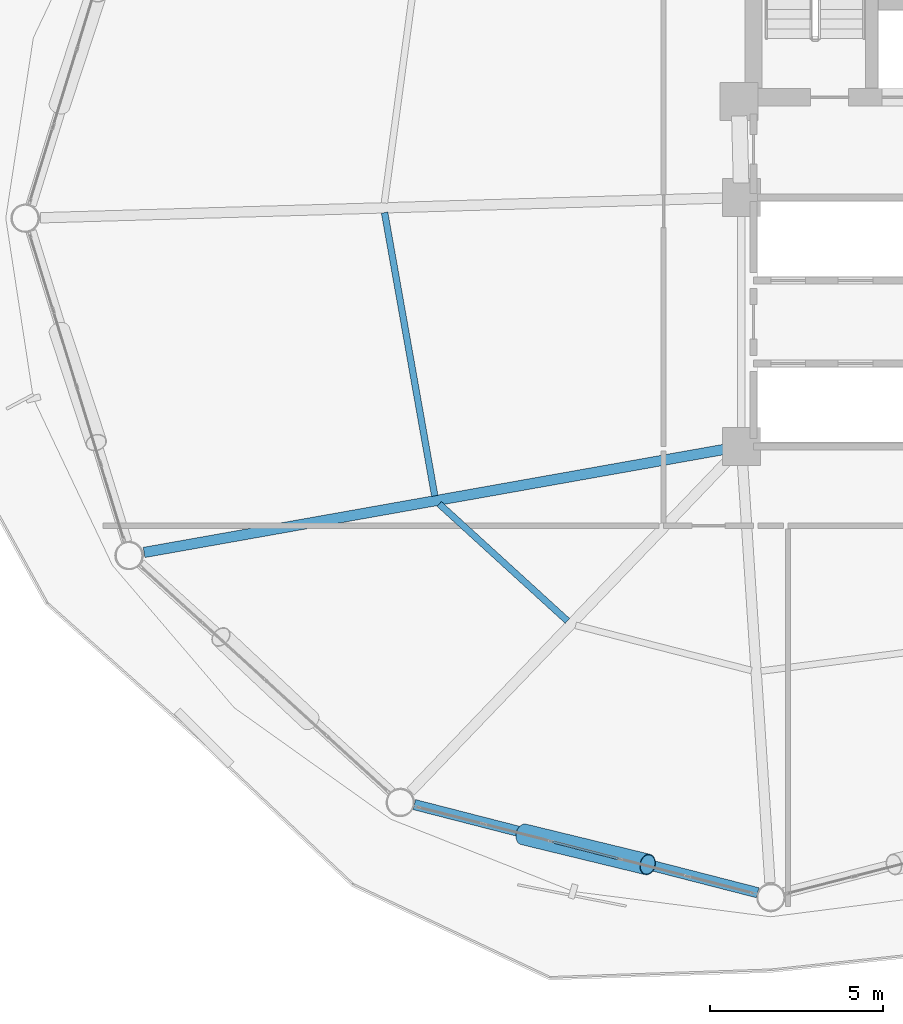
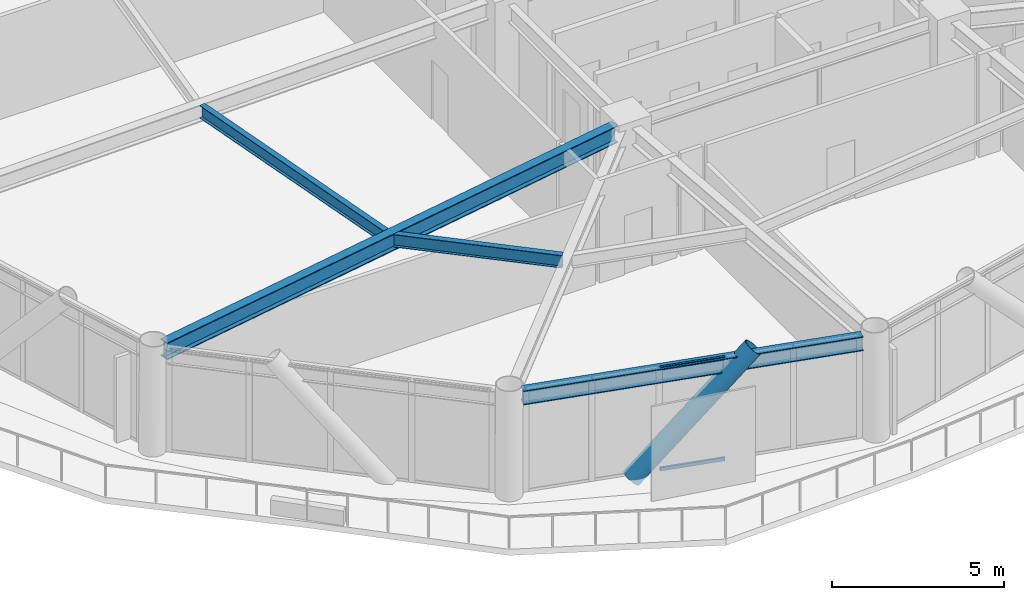
# One storey, part 5 of 24: 4 beams, 3 members, 1 element without a shape of its own.
"""IFC4 building model written with IfcOpenShell, lengths in metres."""

from ifc_helpers import new_model, si_unit, direction, frame, origin, origin_2d, place, context, subcontext, project, spatial, hollow_rectangle, hollow_circle, i_section, extrude, material, layer, layer_set, material_profile, profile_set, type_object, element, aggregate, save


model = new_model("IFC4")

# Units and contexts
model_context = context("Model", 3, precision=1e-05, world=origin(), true_north=direction((0.0, 1.0)))
body_context = subcontext(model_context, "Body", "Model", "MODEL_VIEW")
ifc_project = project(units=[si_unit("LENGTHUNIT", "METRE"), si_unit("AREAUNIT", "SQUARE_METRE"), si_unit("VOLUMEUNIT", "CUBIC_METRE"), si_unit("PLANEANGLEUNIT", "RADIAN"), si_unit("MASSUNIT", "GRAM", prefix="KILO")], contexts=[model_context])

# Site, building, storey
site_placement = place(None, origin())
site = spatial("IfcSite", under=ifc_project, at=site_placement, CompositionType="ELEMENT")
building_placement = place(site_placement, origin())
building = spatial("IfcBuilding", under=site, at=building_placement, Name="Varnakorn Sky Granary", CompositionType="ELEMENT")
storey_placement = place(building_placement, frame((0.0, 0.0, 103.199951171875)))
storey = spatial("IfcBuildingStorey", under=building, at=storey_placement, Name="L25", CompositionType="ELEMENT", Elevation=103.199951171875)

# Beams
ifc_material_1 = material(Name="Steel S355JR", Category="steel")
ifc_material_profile_1 = material_profile(ifc_material_1, i_section(OverallWidth=0.300048828125, OverallDepth=0.60009765625, WebThickness=0.015380859375, FlangeThickness=0.030029296875, at=origin_2d()), Name="HE 600 B")
ifc_profile_set_1 = profile_set([ifc_material_profile_1], Name="Steel S355JR")
beam_type_1 = type_object("IfcBeamType", Name="BM-RAD-Z2", PredefinedType="BEAM", material=ifc_profile_set_1)
beam_1_placement = place(storey_placement, frame((-2.763427734375, -6.673583984375, 3.340087890625), z_axis=(-0.984587546365, -0.174892434205, 0.0), x_axis=(0.174892434205, -0.984587546365, 0.0)))
element("IfcBeam", 1, at=beam_1_placement, inside=storey, type_object=beam_type_1, Name="Radial Floor Girder RG08 L25", PredefinedType="BEAM", context=body_context, shape_type="SweptSolid", body=[
    extrude(i_section(OverallWidth=0.300048828125, OverallDepth=0.60009765625, WebThickness=0.015380859375, FlangeThickness=0.030029296875, at=origin_2d()), origin(), (0.0, 0.0, 1.0), 17.132568359375),
])
ifc_material_profile_2 = material_profile(ifc_material_1, i_section(OverallWidth=0.18994140625, OverallDepth=0.449951171875, WebThickness=0.009521484375, FlangeThickness=0.0146484375, at=origin_2d()), Name="IPE 450")
ifc_profile_set_2 = profile_set([ifc_material_profile_2], Name="Steel S355JR")
beam_type_2 = type_object("IfcBeamType", Name="BM-SEC-Z2", PredefinedType="BEAM", material=ifc_profile_set_2)
beam_2_placement = place(storey_placement, frame((-12.67333984375, 0.16162109375, 3.4150390625), z_axis=(0.174355922041, -0.984682696329, 0.0), x_axis=(0.984682696329, 0.174355922041, 0.0)))
element("IfcBeam", 2, at=beam_2_placement, inside=storey, type_object=beam_type_2, Name="Secondary Floor Chord Beam MSB07 L25", PredefinedType="BEAM", context=body_context, shape_type="SweptSolid", body=[
    extrude(i_section(OverallWidth=0.18994140625, OverallDepth=0.449951171875, WebThickness=0.009521484375, FlangeThickness=0.0146484375, at=origin_2d()), origin(), (0.0, 0.0, 1.0), 8.322998046875),
])
beam_3_placement = place(storey_placement, frame((-11.09423828125, -8.26611328125, 3.4150390625), z_axis=(0.738883223947, -0.67383349677, 0.0), x_axis=(0.67383349677, 0.738883223947, 0.0)))
element("IfcBeam", 3, at=beam_3_placement, inside=storey, type_object=beam_type_2, Name="Secondary Floor Chord Beam MSB08 L25", PredefinedType="BEAM", context=body_context, shape_type="SweptSolid", body=[
    extrude(i_section(OverallWidth=0.18994140625, OverallDepth=0.449951171875, WebThickness=0.009521484375, FlangeThickness=0.0146484375, at=origin_2d()), origin(), (0.0, 0.0, 1.0), 5.021728515625),
])
ifc_material_profile_3 = material_profile(ifc_material_1, i_section(OverallWidth=0.300048828125, OverallDepth=0.5, WebThickness=0.014404296875, FlangeThickness=0.028076171875, at=origin_2d()), Name="HE 500 B")
ifc_profile_set_3 = profile_set([ifc_material_profile_3], Name="Steel S355JR")
beam_type_3 = type_object("IfcBeamType", Name="BM-SPD-Z2", PredefinedType="SPANDREL", material=ifc_profile_set_3)
beam_4_placement = place(storey_placement, frame((-11.811767578125, -16.96484375, 3.39013671875), z_axis=(0.968593917233, -0.248647991141, 0.0), x_axis=(0.248647991141, 0.968593917233, 0.0)))
element("IfcBeam", 4, at=beam_4_placement, inside=storey, type_object=beam_type_3, Name="Perimeter Spandrel Ring Beam RB09 L25", PredefinedType="SPANDREL", context=body_context, shape_type="SweptSolid", body=[
    extrude(i_section(OverallWidth=0.300048828125, OverallDepth=0.5, WebThickness=0.014404296875, FlangeThickness=0.028076171875, at=origin_2d()), origin(), (0.0, 0.0, 1.0), 10.254638671875),
])

# Curtain wall, members
ifc_material_2 = material(Name="Anodised Bronze Aluminium Alloy 6063-T6", Category="aluminium")
ifc_layer = layer(ifc_material_2, 0.179931640625, Name="Anodised Bronze Aluminium Alloy 6063-T6")
ifc_layer_set = layer_set([ifc_layer], Name="Anodised Bronze Aluminium Alloy 6063-T6")
curtain_wall_type = type_object("IfcCurtainWallType", Name="CW-FRM-2", PredefinedType="USERDEFINED", material=ifc_layer_set)
curtain_wall_placement = place(storey_placement, origin())
curtain_wall = element("IfcCurtainWall", 5, at=curtain_wall_placement, inside=storey, type_object=curtain_wall_type, Name="Unitised Curtain Wall CW4 CW-L25-B09", ObjectType="CURTAIN WALL", PredefinedType="USERDEFINED")
ifc_material_profile_4 = material_profile(ifc_material_2, hollow_rectangle(XDim=0.06494140625, YDim=0.1201171875, WallThickness=0.00341796875, at=origin_2d()), Name="ALU TRAN 65x120")
ifc_profile_set_4 = profile_set([ifc_material_profile_4], Name="Anodised Bronze Aluminium Alloy 6063-T6")
member_type_1 = type_object("IfcMemberType", Name="CW-FRM-2-TRAN", PredefinedType="USERDEFINED", material=ifc_profile_set_4)
member_1_placement = place(storey_placement, frame((-5.913818359375, -18.52783203125, 0.032470703125), z_axis=(-0.968619998688, 0.248546370205, 0.0), x_axis=(-0.248546370205, -0.968619998688, 0.0)))
member_1 = element("IfcMember", 6, at=member_1_placement, type_object=member_type_1, Name="CW4 transom 3.1", ObjectType="TRANSOM", PredefinedType="USERDEFINED", context=body_context, shape_type="SweptSolid", body=[
    extrude(hollow_rectangle(XDim=0.06494140625, YDim=0.1201171875, WallThickness=0.00341796875, at=origin_2d()), origin(), (0.0, 0.0, 1.0), 1.957763671875),
])
member_2_placement = place(storey_placement, frame((-5.913818359375, -18.52783203125, 3.607666015625), z_axis=(-0.968619998688, 0.248546370205, 0.0), x_axis=(-0.248546370205, -0.968619998688, 0.0)))
member_2 = element("IfcMember", 7, at=member_2_placement, type_object=member_type_1, Name="CW4 transom 3.2", ObjectType="TRANSOM", PredefinedType="USERDEFINED", context=body_context, shape_type="SweptSolid", body=[
    extrude(hollow_rectangle(XDim=0.06494140625, YDim=0.1201171875, WallThickness=0.00341796875, at=origin_2d()), origin(), (0.0, 0.0, 1.0), 1.957763671875),
])
aggregate(curtain_wall, [member_1, member_2])

# Member
ifc_material_3 = material(Name="Steel S460M", Category="steel")
ifc_material_profile_5 = material_profile(ifc_material_3, hollow_circle(Radius=0.304931640625, WallThickness=0.022216796875, at=origin_2d()), Name="CHS 610x22")
ifc_profile_set_5 = profile_set([ifc_material_profile_5], Name="Steel S460M")
member_type_2 = type_object("IfcMemberType", Name="MB-DIAG-T1", PredefinedType="BRACE", material=ifc_profile_set_5)
member_3_placement = place(storey_placement, frame((-8.6494140625, -17.826171875, -0.1298828125), z_axis=(0.666055707324, -0.161808862513, 0.72813988131), x_axis=(0.236069623511, 0.97173614364, 0.0)))
element("IfcMember", 8, at=member_3_placement, inside=storey, type_object=member_type_2, Name="Perimeter CHS Diagrid Brace DG09 L25", PredefinedType="BRACE", context=body_context, shape_type="SweptSolid", body=[
    extrude(hollow_circle(Radius=0.304931640625, WallThickness=0.022216796875, at=origin_2d()), origin(), (0.0, 0.0, 1.0), 5.383544921875),
])

save(model, "model.ifc")
